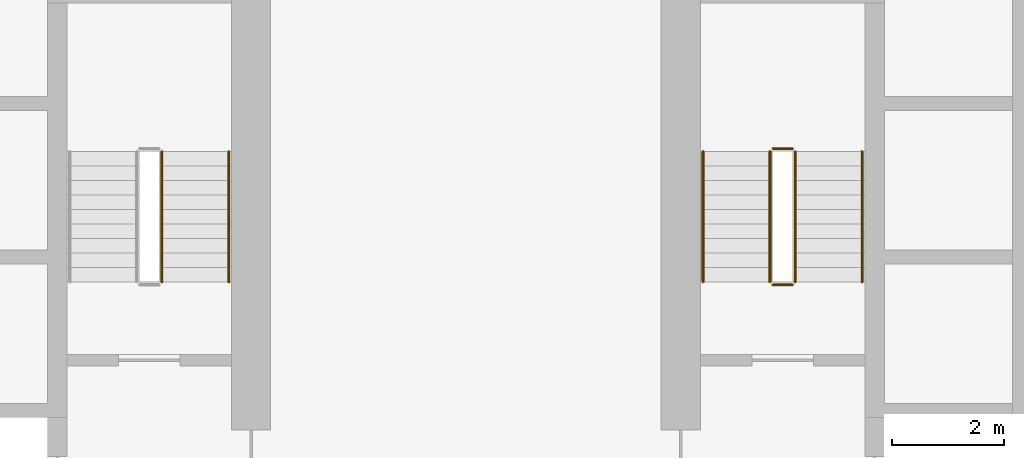
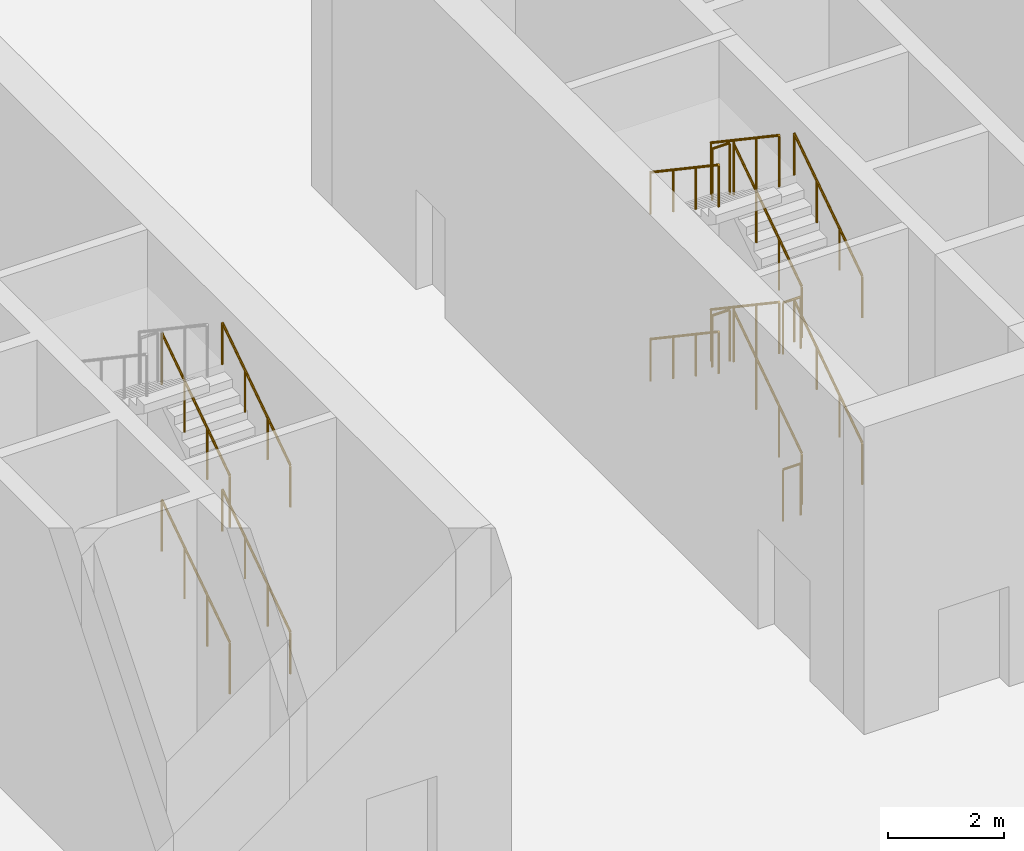
# One storey, part 26 of 37: 16 railings.
"""IFC4 building model written with IfcOpenShell, lengths in metres."""

from ifc_helpers import new_model, si_unit, direction, frame, origin, origin_2d, place, context, subcontext, project, spatial, circle, extrude, material, type_object, element, save


model = new_model("IFC4")

# Units and contexts
model_context = context("Model", 3, precision=1e-05, world=origin(), true_north=direction((0.0, 1.0)))
body_context = subcontext(model_context, "Body", "Model", "MODEL_VIEW")
ifc_project = project(units=[si_unit("LENGTHUNIT", "METRE"), si_unit("AREAUNIT", "SQUARE_METRE"), si_unit("VOLUMEUNIT", "CUBIC_METRE"), si_unit("PLANEANGLEUNIT", "RADIAN"), si_unit("MASSUNIT", "GRAM", prefix="KILO")], contexts=[model_context])

# Site, building, storey
site_placement = place(None, origin())
site = spatial("IfcSite", under=ifc_project, at=site_placement, CompositionType="ELEMENT")
building_placement = place(site_placement, origin())
building = spatial("IfcBuilding", under=site, at=building_placement, Name="Tamarind Cross Interchange Tower", CompositionType="ELEMENT")
storey_placement = place(building_placement, frame((0.0, 0.0, -7.0)))
storey = spatial("IfcBuildingStorey", under=building, at=storey_placement, Name="B1", CompositionType="ELEMENT", Elevation=-7.0)

# Railings
ifc_material_1 = material(Name="Stair guard")
railing_type_1 = type_object("IfcRailingType", Name="Stair guard", PredefinedType="GUARDRAIL", material=ifc_material_1)
for number, where, name in (
    (1, (-5.449951171875, -3.199951171875, 0.175048828125), "B1 ST1 stair guard 1"),
    (2, (-5.449951171875, -3.199951171875, 3.675048828125), "B1 ST1 stair guard 5"),
    (3, (5.89990234375, -3.199951171875, 0.175048828125), "B1 ST2 stair guard 1"),
):
    element("IfcRailing", number, at=place(storey_placement, frame(where)), inside=storey, type_object=railing_type_1, Name=name, PredefinedType="GUARDRAIL", context=body_context, shape_type="SweptSolid", body=[
        extrude(circle(Radius=0.02392578125, at=origin_2d()), frame((0.0, 0.0, 1.076171875), z_axis=(0.0, 0.829578494604, 0.558390115681), x_axis=(-1.0, 0.0, 0.0)), (0.0, 0.0, 1.0), 2.820556640625),
        extrude(circle(Radius=0.02099609375, at=origin_2d()), origin(), (0.0, 0.0, 1.0), 1.052001953125),
        extrude(circle(Radius=0.02099609375, at=origin_2d()), frame((0.0, 0.780029296875, 0.52490234375)), (0.0, 0.0, 1.0), 1.052001953125),
        extrude(circle(Radius=0.02099609375, at=origin_2d()), frame((0.0, 1.559814453125, 1.050048828125)), (0.0, 0.0, 1.0), 1.052001953125),
        extrude(circle(Radius=0.02099609375, at=origin_2d()), frame((0.0, 2.33984375, 1.574951171875)), (0.0, 0.0, 1.0), 1.052001953125),
    ])
railing_1_placement = place(storey_placement, frame((5.85009765625, -0.81005859375, 1.75)))
element("IfcRailing", 4, at=railing_1_placement, inside=storey, type_object=railing_type_1, Name="B1 ST2 stair guard 2", PredefinedType="GUARDRAIL", context=body_context, shape_type="SweptSolid", body=[
    extrude(circle(Radius=0.02392578125, at=origin_2d()), frame((0.0, 0.0, 1.076171875), z_axis=(-1.0, 0.0, 0.0), x_axis=(0.0, -1.0, 0.0)), (0.0, 0.0, 1.0), 0.35009765625),
    extrude(circle(Radius=0.02099609375, at=origin_2d()), origin(), (0.0, 0.0, 1.0), 1.052001953125),
    extrude(circle(Radius=0.02099609375, at=origin_2d()), frame((-0.35009765625, 0.0, 0.0)), (0.0, 0.0, 1.0), 1.052001953125),
])
railing_2_placement = place(storey_placement, frame((5.449951171875, -0.860107421875, 1.925048828125)))
element("IfcRailing", 5, at=railing_2_placement, inside=storey, type_object=railing_type_1, Name="B1 ST2 stair guard 3", PredefinedType="GUARDRAIL", context=body_context, shape_type="SweptSolid", body=[
    extrude(circle(Radius=0.02392578125, at=origin_2d()), frame((0.0, 0.0, 1.076171875), z_axis=(0.0, -0.829578494604, 0.558390115681), x_axis=(1.0, 0.0, 0.0)), (0.0, 0.0, 1.0), 2.820556640625),
    extrude(circle(Radius=0.02099609375, at=origin_2d()), origin(), (0.0, 0.0, 1.0), 1.052001953125),
    extrude(circle(Radius=0.02099609375, at=origin_2d()), frame((0.0, -0.780029296875, 0.52490234375)), (0.0, 0.0, 1.0), 1.052001953125),
    extrude(circle(Radius=0.02099609375, at=origin_2d()), frame((0.0, -1.559814453125, 1.050048828125)), (0.0, 0.0, 1.0), 1.052001953125),
    extrude(circle(Radius=0.02099609375, at=origin_2d()), frame((0.0, -2.33984375, 1.574951171875)), (0.0, 0.0, 1.0), 1.052001953125),
])
railing_3_placement = place(storey_placement, frame((5.85009765625, -3.25, 3.5)))
element("IfcRailing", 6, at=railing_3_placement, inside=storey, type_object=railing_type_1, Name="B1 ST2 stair guard 4", PredefinedType="GUARDRAIL", context=body_context, shape_type="SweptSolid", body=[
    extrude(circle(Radius=0.02392578125, at=origin_2d()), frame((0.0, 0.0, 1.076171875), z_axis=(-1.0, 0.0, 0.0), x_axis=(0.0, -1.0, 0.0)), (0.0, 0.0, 1.0), 0.35009765625),
    extrude(circle(Radius=0.02099609375, at=origin_2d()), origin(), (0.0, 0.0, 1.0), 1.052001953125),
    extrude(circle(Radius=0.02099609375, at=origin_2d()), frame((-0.35009765625, 0.0, 0.0)), (0.0, 0.0, 1.0), 1.052001953125),
])
railing_4_placement = place(storey_placement, frame((5.89990234375, -3.199951171875, 3.675048828125)))
element("IfcRailing", 7, at=railing_4_placement, inside=storey, type_object=railing_type_1, Name="B1 ST2 stair guard 5", PredefinedType="GUARDRAIL", context=body_context, shape_type="SweptSolid", body=[
    extrude(circle(Radius=0.02392578125, at=origin_2d()), frame((0.0, 0.0, 1.076171875), z_axis=(0.0, 0.829578494604, 0.558390115681), x_axis=(-1.0, 0.0, 0.0)), (0.0, 0.0, 1.0), 2.820556640625),
    extrude(circle(Radius=0.02099609375, at=origin_2d()), origin(), (0.0, 0.0, 1.0), 1.052001953125),
    extrude(circle(Radius=0.02099609375, at=origin_2d()), frame((0.0, 0.780029296875, 0.52490234375)), (0.0, 0.0, 1.0), 1.052001953125),
    extrude(circle(Radius=0.02099609375, at=origin_2d()), frame((0.0, 1.559814453125, 1.050048828125)), (0.0, 0.0, 1.0), 1.052001953125),
    extrude(circle(Radius=0.02099609375, at=origin_2d()), frame((0.0, 2.33984375, 1.574951171875)), (0.0, 0.0, 1.0), 1.052001953125),
])
railing_5_placement = place(storey_placement, frame((5.85009765625, -0.81005859375, 5.25)))
element("IfcRailing", 8, at=railing_5_placement, inside=storey, type_object=railing_type_1, Name="B1 ST2 stair guard 6", PredefinedType="GUARDRAIL", context=body_context, shape_type="SweptSolid", body=[
    extrude(circle(Radius=0.02392578125, at=origin_2d()), frame((0.0, 0.0, 1.076171875), z_axis=(-1.0, 0.0, 0.0), x_axis=(0.0, -1.0, 0.0)), (0.0, 0.0, 1.0), 0.35009765625),
    extrude(circle(Radius=0.02099609375, at=origin_2d()), origin(), (0.0, 0.0, 1.0), 1.052001953125),
    extrude(circle(Radius=0.02099609375, at=origin_2d()), frame((-0.35009765625, 0.0, 0.0)), (0.0, 0.0, 1.0), 1.052001953125),
])
railing_6_placement = place(storey_placement, frame((5.449951171875, -0.860107421875, 5.425048828125)))
element("IfcRailing", 9, at=railing_6_placement, inside=storey, type_object=railing_type_1, Name="B1 ST2 stair guard 7", PredefinedType="GUARDRAIL", context=body_context, shape_type="SweptSolid", body=[
    extrude(circle(Radius=0.02392578125, at=origin_2d()), frame((0.0, 0.0, 1.076171875), z_axis=(0.0, -0.829578494604, 0.558390115681), x_axis=(1.0, 0.0, 0.0)), (0.0, 0.0, 1.0), 2.820556640625),
    extrude(circle(Radius=0.02099609375, at=origin_2d()), origin(), (0.0, 0.0, 1.0), 1.052001953125),
    extrude(circle(Radius=0.02099609375, at=origin_2d()), frame((0.0, -0.780029296875, 0.52490234375)), (0.0, 0.0, 1.0), 1.052001953125),
    extrude(circle(Radius=0.02099609375, at=origin_2d()), frame((0.0, -1.559814453125, 1.050048828125)), (0.0, 0.0, 1.0), 1.052001953125),
    extrude(circle(Radius=0.02099609375, at=origin_2d()), frame((0.0, -2.33984375, 1.574951171875)), (0.0, 0.0, 1.0), 1.052001953125),
])
railing_7_placement = place(storey_placement, frame((5.85009765625, -3.25, 0.0)))
element("IfcRailing", 10, at=railing_7_placement, inside=storey, type_object=railing_type_1, Name="B1 ST2 stair guard 8", PredefinedType="GUARDRAIL", context=body_context, shape_type="SweptSolid", body=[
    extrude(circle(Radius=0.02392578125, at=origin_2d()), frame((0.0, 0.0, 1.076171875), z_axis=(-1.0, 0.0, 0.0), x_axis=(0.0, -1.0, 0.0)), (0.0, 0.0, 1.0), 0.35009765625),
    extrude(circle(Radius=0.02099609375, at=origin_2d()), origin(), (0.0, 0.0, 1.0), 1.052001953125),
    extrude(circle(Radius=0.02099609375, at=origin_2d()), frame((-0.35009765625, 0.0, 0.0)), (0.0, 0.0, 1.0), 1.052001953125),
])
ifc_material_2 = material(Name="Stair handrail")
railing_type_2 = type_object("IfcRailingType", Name="Stair handrail", PredefinedType="HANDRAIL", material=ifc_material_2)
for number, where, name in (
    (11, (-4.25, -3.199951171875, 0.175048828125), "B1 ST1 stair handrail 1"),
    (12, (-4.25, -3.199951171875, 3.675048828125), "B1 ST1 stair handrail 3"),
    (13, (7.10009765625, -3.199951171875, 0.175048828125), "B1 ST2 stair handrail 1"),
):
    element("IfcRailing", number, at=place(storey_placement, frame(where)), inside=storey, type_object=railing_type_2, Name=name, PredefinedType="HANDRAIL", context=body_context, shape_type="SweptSolid", body=[
        extrude(circle(Radius=0.02392578125, at=origin_2d()), frame((0.0, 0.0, 0.8759765625), z_axis=(0.0, 0.829578494604, 0.558390115681), x_axis=(-1.0, 0.0, 0.0)), (0.0, 0.0, 1.0), 2.820556640625),
        extrude(circle(Radius=0.02099609375, at=origin_2d()), origin(), (0.0, 0.0, 1.0), 0.851806640625),
        extrude(circle(Radius=0.02099609375, at=origin_2d()), frame((0.0, 0.780029296875, 0.52490234375)), (0.0, 0.0, 1.0), 0.851806640625),
        extrude(circle(Radius=0.02099609375, at=origin_2d()), frame((0.0, 1.559814453125, 1.050048828125)), (0.0, 0.0, 1.0), 0.851806640625),
        extrude(circle(Radius=0.02099609375, at=origin_2d()), frame((0.0, 2.33984375, 1.574951171875)), (0.0, 0.0, 1.0), 0.851806640625),
    ])
railing_8_placement = place(storey_placement, frame((4.25, -0.860107421875, 1.925048828125)))
element("IfcRailing", 14, at=railing_8_placement, inside=storey, type_object=railing_type_2, Name="B1 ST2 stair handrail 2", PredefinedType="HANDRAIL", context=body_context, shape_type="SweptSolid", body=[
    extrude(circle(Radius=0.02392578125, at=origin_2d()), frame((0.0, 0.0, 0.8759765625), z_axis=(0.0, -0.829578494604, 0.558390115681), x_axis=(1.0, 0.0, 0.0)), (0.0, 0.0, 1.0), 2.820556640625),
    extrude(circle(Radius=0.02099609375, at=origin_2d()), origin(), (0.0, 0.0, 1.0), 0.851806640625),
    extrude(circle(Radius=0.02099609375, at=origin_2d()), frame((0.0, -0.780029296875, 0.52490234375)), (0.0, 0.0, 1.0), 0.851806640625),
    extrude(circle(Radius=0.02099609375, at=origin_2d()), frame((0.0, -1.559814453125, 1.050048828125)), (0.0, 0.0, 1.0), 0.851806640625),
    extrude(circle(Radius=0.02099609375, at=origin_2d()), frame((0.0, -2.33984375, 1.574951171875)), (0.0, 0.0, 1.0), 0.851806640625),
])
railing_9_placement = place(storey_placement, frame((7.10009765625, -3.199951171875, 3.675048828125)))
element("IfcRailing", 15, at=railing_9_placement, inside=storey, type_object=railing_type_2, Name="B1 ST2 stair handrail 3", PredefinedType="HANDRAIL", context=body_context, shape_type="SweptSolid", body=[
    extrude(circle(Radius=0.02392578125, at=origin_2d()), frame((0.0, 0.0, 0.8759765625), z_axis=(0.0, 0.829578494604, 0.558390115681), x_axis=(-1.0, 0.0, 0.0)), (0.0, 0.0, 1.0), 2.820556640625),
    extrude(circle(Radius=0.02099609375, at=origin_2d()), origin(), (0.0, 0.0, 1.0), 0.851806640625),
    extrude(circle(Radius=0.02099609375, at=origin_2d()), frame((0.0, 0.780029296875, 0.52490234375)), (0.0, 0.0, 1.0), 0.851806640625),
    extrude(circle(Radius=0.02099609375, at=origin_2d()), frame((0.0, 1.559814453125, 1.050048828125)), (0.0, 0.0, 1.0), 0.851806640625),
    extrude(circle(Radius=0.02099609375, at=origin_2d()), frame((0.0, 2.33984375, 1.574951171875)), (0.0, 0.0, 1.0), 0.851806640625),
])
railing_10_placement = place(storey_placement, frame((4.25, -0.860107421875, 5.425048828125)))
element("IfcRailing", 16, at=railing_10_placement, inside=storey, type_object=railing_type_2, Name="B1 ST2 stair handrail 4", PredefinedType="HANDRAIL", context=body_context, shape_type="SweptSolid", body=[
    extrude(circle(Radius=0.02392578125, at=origin_2d()), frame((0.0, 0.0, 0.8759765625), z_axis=(0.0, -0.829578494604, 0.558390115681), x_axis=(1.0, 0.0, 0.0)), (0.0, 0.0, 1.0), 2.820556640625),
    extrude(circle(Radius=0.02099609375, at=origin_2d()), origin(), (0.0, 0.0, 1.0), 0.851806640625),
    extrude(circle(Radius=0.02099609375, at=origin_2d()), frame((0.0, -0.780029296875, 0.52490234375)), (0.0, 0.0, 1.0), 0.851806640625),
    extrude(circle(Radius=0.02099609375, at=origin_2d()), frame((0.0, -1.559814453125, 1.050048828125)), (0.0, 0.0, 1.0), 0.851806640625),
    extrude(circle(Radius=0.02099609375, at=origin_2d()), frame((0.0, -2.33984375, 1.574951171875)), (0.0, 0.0, 1.0), 0.851806640625),
])

save(model, "model.ifc")
